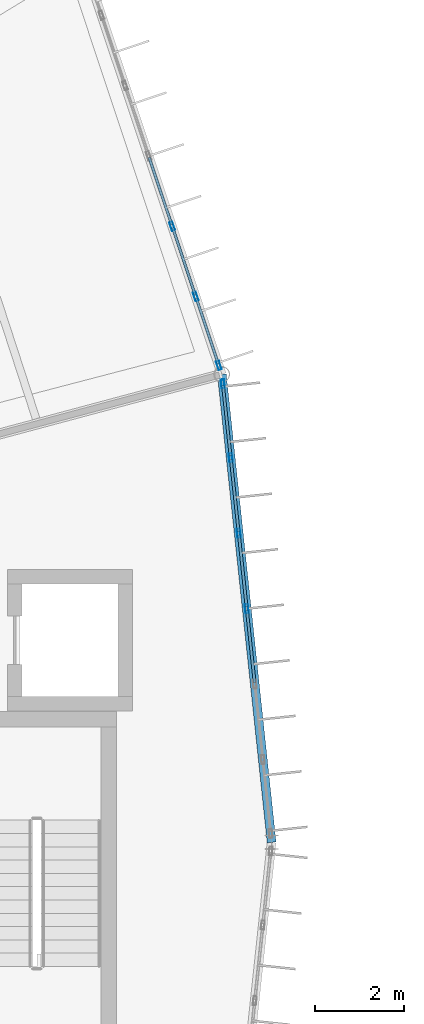
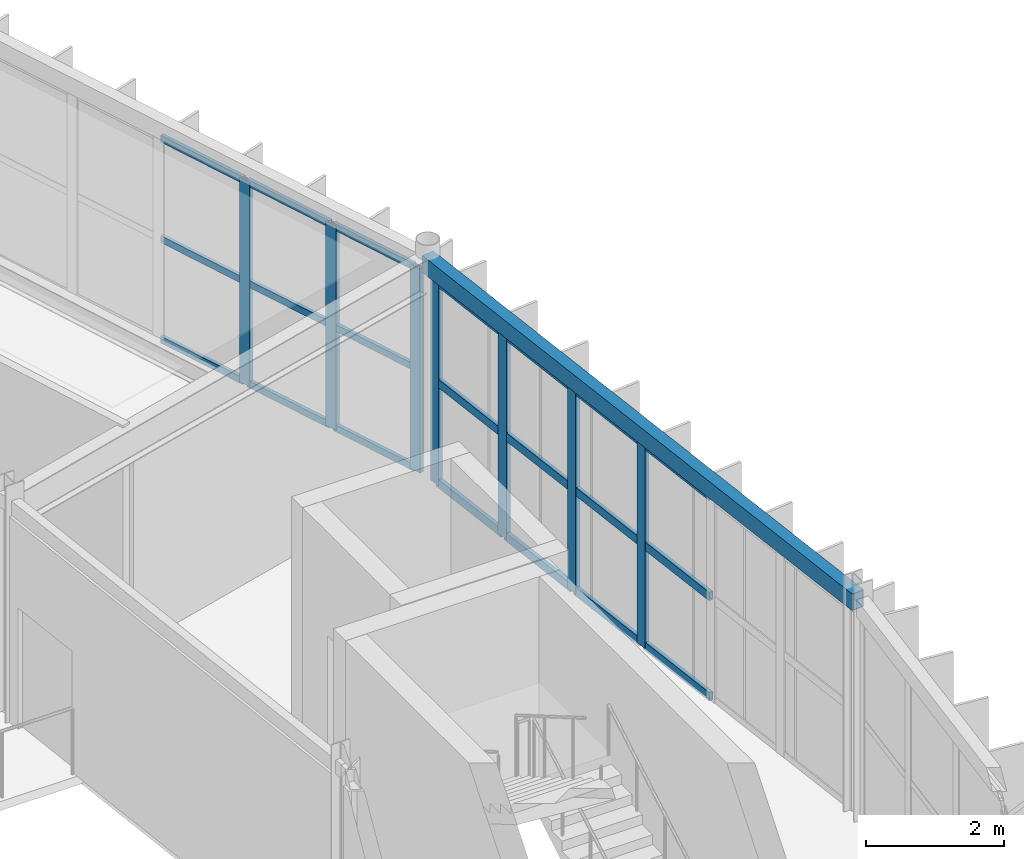
# One storey, part 66 of 148: 28 members, 1 beam, 2 elements without a shape of their own.
"""IFC4 building model written with IfcOpenShell, lengths in metres."""

from ifc_helpers import new_model, si_unit, direction, frame, origin, origin_2d, place, context, subcontext, project, spatial, hollow_rectangle, extrude, material, material_profile, profile_set, type_object, element, aggregate, save


model = new_model("IFC4")

# Units and contexts
model_context = context("Model", 3, precision=1e-05, world=origin(), true_north=direction((0.0, 1.0)))
body_context = subcontext(model_context, "Body", "Model", "MODEL_VIEW")
ifc_project = project(units=[si_unit("LENGTHUNIT", "METRE"), si_unit("AREAUNIT", "SQUARE_METRE"), si_unit("VOLUMEUNIT", "CUBIC_METRE"), si_unit("PLANEANGLEUNIT", "RADIAN"), si_unit("MASSUNIT", "GRAM", prefix="KILO")], contexts=[model_context])

# Site, building, storey
site_placement = place(None, origin())
site = spatial("IfcSite", under=ifc_project, at=site_placement, CompositionType="ELEMENT")
building_placement = place(site_placement, origin())
building = spatial("IfcBuilding", under=site, at=building_placement, Name="Karori Crest Natural Sciences Institute", CompositionType="ELEMENT")
storey_placement = place(building_placement, frame((0.0, 0.0, 4.89990234375)))
storey = spatial("IfcBuildingStorey", under=building, at=storey_placement, Name="L01", CompositionType="ELEMENT", Elevation=4.89990234375)

# Beam
ifc_material_1 = material(Name="Hollow structural steel AS/NZS 1163 Grade C350", Category="steel")
ifc_material_profile_1 = material_profile(ifc_material_1, hollow_rectangle(XDim=0.199951171875, YDim=0.300048828125, WallThickness=0.010009765625, at=origin_2d()), Name="RHS300x200x10")
ifc_profile_set_1 = profile_set([ifc_material_profile_1], Name="Hollow structural steel AS/NZS 1163 Grade C350")
beam_type = type_object("IfcBeamType", Name="BT-15", PredefinedType="SPANDREL", material=ifc_profile_set_1)
beam_placement = place(storey_placement, frame((99.39990234375, 49.89990234375, 3.7900390625), z_axis=(-0.105868278464, 0.994380162521, 0.0), x_axis=(-0.994380162521, -0.105868278464, 0.0)))
element("IfcBeam", 1, at=beam_placement, inside=storey, type_object=beam_type, Name="Beam B-0181", PredefinedType="SPANDREL", context=body_context, shape_type="SweptSolid", body=[
    extrude(hollow_rectangle(XDim=0.199951171875, YDim=0.300048828125, WallThickness=0.010009765625, at=origin_2d()), origin(), (0.0, 0.0, 1.0), 10.619384765625),
])

# Curtain wall, members
ifc_material_2 = material(Name="Anodised architectural aluminium 6063-T6", Category="aluminium")
curtain_wall_type_1 = type_object("IfcCurtainWallType", Name="CWT-01", PredefinedType="NOTDEFINED", material=ifc_material_2)
curtain_wall_1_placement = place(storey_placement, origin())
curtain_wall_1 = element("IfcCurtainWall", 2, at=curtain_wall_1_placement, inside=storey, type_object=curtain_wall_type_1, Name="Curtain wall CW-0031", PredefinedType="NOTDEFINED")
ifc_material_profile_2 = material_profile(ifc_material_2, hollow_rectangle(XDim=0.074951171875, YDim=0.199951171875, WallThickness=0.0048828125, at=origin_2d()), Name="CWM200x75x5")
ifc_profile_set_2 = profile_set([ifc_material_profile_2], Name="Anodised architectural aluminium 6063-T6")
member_type_1 = type_object("IfcMemberType", Name="CWM-02", PredefinedType="MULLION", material=ifc_profile_set_2)
member_1_placement = place(storey_placement, frame((98.298095703125, 60.247802734375, 0.0), z_axis=(0.0, 0.0, 1.0), x_axis=(0.994378742451, 0.105881615789, 0.0)))
member_1 = element("IfcMember", 3, at=member_1_placement, type_object=member_type_1, Name="CW-0031 mullion 1", PredefinedType="MULLION", context=body_context, shape_type="SweptSolid", body=[
    extrude(hollow_rectangle(XDim=0.074951171875, YDim=0.199951171875, WallThickness=0.0048828125, at=origin_2d()), origin(), (0.0, 0.0, 1.0), 3.625),
])
member_2_placement = place(storey_placement, frame((98.4755859375, 58.5810546875, 0.0), z_axis=(0.0, 0.0, 1.0), x_axis=(0.994378742451, 0.105881615789, 0.0)))
member_2 = element("IfcMember", 4, at=member_2_placement, type_object=member_type_1, Name="CW-0031 mullion 2", PredefinedType="MULLION", context=body_context, shape_type="SweptSolid", body=[
    extrude(hollow_rectangle(XDim=0.074951171875, YDim=0.199951171875, WallThickness=0.0048828125, at=origin_2d()), origin(), (0.0, 0.0, 1.0), 3.625),
])
member_3_placement = place(storey_placement, frame((98.656982421875, 56.877197265625, 0.0), z_axis=(0.0, 0.0, 1.0), x_axis=(0.994378742451, 0.105881615789, 0.0)))
member_3 = element("IfcMember", 5, at=member_3_placement, type_object=member_type_1, Name="CW-0031 mullion 3", PredefinedType="MULLION", context=body_context, shape_type="SweptSolid", body=[
    extrude(hollow_rectangle(XDim=0.074951171875, YDim=0.199951171875, WallThickness=0.0048828125, at=origin_2d()), origin(), (0.0, 0.0, 1.0), 3.625),
])
member_4_placement = place(storey_placement, frame((98.83837890625, 55.17333984375, 0.0), z_axis=(0.0, 0.0, 1.0), x_axis=(0.994378742451, 0.105881615789, 0.0)))
member_4 = element("IfcMember", 6, at=member_4_placement, type_object=member_type_1, Name="CW-0031 mullion 4", PredefinedType="MULLION", context=body_context, shape_type="SweptSolid", body=[
    extrude(hollow_rectangle(XDim=0.074951171875, YDim=0.199951171875, WallThickness=0.0048828125, at=origin_2d()), origin(), (0.0, 0.0, 1.0), 3.625),
])

curtain_wall_type_2 = type_object("IfcCurtainWallType", Name="CWT-02", PredefinedType="NOTDEFINED", material=ifc_material_2)
curtain_wall_2_placement = place(storey_placement, origin())
curtain_wall_2 = element("IfcCurtainWall", 7, at=curtain_wall_2_placement, inside=storey, type_object=curtain_wall_type_2, Name="Curtain wall CW-0032", PredefinedType="NOTDEFINED")
member_5_placement = place(storey_placement, frame((97.156494140625, 63.800537109375, 0.0), z_axis=(0.0, 0.0, 1.0), x_axis=(0.948196219586, 0.317685267462, 0.0)))
member_5 = element("IfcMember", 8, at=member_5_placement, type_object=member_type_1, Name="CW-0032 mullion 5", PredefinedType="MULLION", context=body_context, shape_type="SweptSolid", body=[
    extrude(hollow_rectangle(XDim=0.074951171875, YDim=0.199951171875, WallThickness=0.0048828125, at=origin_2d()), origin(), (0.0, 0.0, 1.0), 3.625),
])
member_6_placement = place(storey_placement, frame((97.68798828125, 62.21337890625, 0.0), z_axis=(0.0, 0.0, 1.0), x_axis=(0.948196219586, 0.317685267462, 0.0)))
member_6 = element("IfcMember", 9, at=member_6_placement, type_object=member_type_1, Name="CW-0032 mullion 6", PredefinedType="MULLION", context=body_context, shape_type="SweptSolid", body=[
    extrude(hollow_rectangle(XDim=0.074951171875, YDim=0.199951171875, WallThickness=0.0048828125, at=origin_2d()), origin(), (0.0, 0.0, 1.0), 3.625),
])
member_7_placement = place(storey_placement, frame((98.2080078125, 60.662109375, 0.0), z_axis=(0.0, 0.0, 1.0), x_axis=(0.948196219586, 0.317685267462, 0.0)))
member_7 = element("IfcMember", 10, at=member_7_placement, type_object=member_type_1, Name="CW-0032 mullion 7", PredefinedType="MULLION", context=body_context, shape_type="SweptSolid", body=[
    extrude(hollow_rectangle(XDim=0.074951171875, YDim=0.199951171875, WallThickness=0.0048828125, at=origin_2d()), origin(), (0.0, 0.0, 1.0), 3.625),
])
ifc_material_profile_3 = material_profile(ifc_material_2, hollow_rectangle(XDim=0.06005859375, YDim=0.1201171875, WallThickness=0.00390625, at=origin_2d()), Name="CWT120x60x4")
ifc_profile_set_3 = profile_set([ifc_material_profile_3], Name="Anodised architectural aluminium 6063-T6")
member_type_2 = type_object("IfcMemberType", Name="CWT-TR1", PredefinedType="USERDEFINED", material=ifc_profile_set_3)
member_8_placement = place(storey_placement, frame((96.63671875, 65.351806640625, 0.030029296875), z_axis=(0.317647663217, -0.948208817747, 0.0), x_axis=(0.948208817747, 0.317647663217, 0.0)))
member_8 = element("IfcMember", 11, at=member_8_placement, type_object=member_type_2, Name="CW-0032 transom 4.1", ObjectType="TRANSOM", PredefinedType="USERDEFINED", context=body_context, shape_type="SweptSolid", body=[
    extrude(hollow_rectangle(XDim=0.06005859375, YDim=0.1201171875, WallThickness=0.00390625, at=origin_2d()), origin(), (0.0, 0.0, 1.0), 1.5986328125),
])
member_9_placement = place(storey_placement, frame((96.63671875, 65.351806640625, 1.8125), z_axis=(0.317647663217, -0.948208817747, 0.0), x_axis=(0.948208817747, 0.317647663217, 0.0)))
member_9 = element("IfcMember", 12, at=member_9_placement, type_object=member_type_2, Name="CW-0032 transom 4.2", ObjectType="TRANSOM", PredefinedType="USERDEFINED", context=body_context, shape_type="SweptSolid", body=[
    extrude(hollow_rectangle(XDim=0.06005859375, YDim=0.1201171875, WallThickness=0.00390625, at=origin_2d()), origin(), (0.0, 0.0, 1.0), 1.5986328125),
])
member_10_placement = place(storey_placement, frame((96.63671875, 65.351806640625, 3.59521484375), z_axis=(0.317647663217, -0.948208817747, 0.0), x_axis=(0.948208817747, 0.317647663217, 0.0)))
member_10 = element("IfcMember", 13, at=member_10_placement, type_object=member_type_2, Name="CW-0032 transom 4.3", ObjectType="TRANSOM", PredefinedType="USERDEFINED", context=body_context, shape_type="SweptSolid", body=[
    extrude(hollow_rectangle(XDim=0.06005859375, YDim=0.1201171875, WallThickness=0.00390625, at=origin_2d()), origin(), (0.0, 0.0, 1.0), 1.5986328125),
])
member_11_placement = place(storey_placement, frame((97.168212890625, 63.764892578125, 0.030029296875), z_axis=(0.317784959476, -0.948162812776, 0.0), x_axis=(0.948162812776, 0.317784959476, 0.0)))
member_11 = element("IfcMember", 14, at=member_11_placement, type_object=member_type_2, Name="CW-0032 transom 5.1", ObjectType="TRANSOM", PredefinedType="USERDEFINED", context=body_context, shape_type="SweptSolid", body=[
    extrude(hollow_rectangle(XDim=0.06005859375, YDim=0.1201171875, WallThickness=0.00390625, at=origin_2d()), origin(), (0.0, 0.0, 1.0), 1.5986328125),
])
member_12_placement = place(storey_placement, frame((97.168212890625, 63.764892578125, 1.8125), z_axis=(0.317784959476, -0.948162812776, 0.0), x_axis=(0.948162812776, 0.317784959476, 0.0)))
member_12 = element("IfcMember", 15, at=member_12_placement, type_object=member_type_2, Name="CW-0032 transom 5.2", ObjectType="TRANSOM", PredefinedType="USERDEFINED", context=body_context, shape_type="SweptSolid", body=[
    extrude(hollow_rectangle(XDim=0.06005859375, YDim=0.1201171875, WallThickness=0.00390625, at=origin_2d()), origin(), (0.0, 0.0, 1.0), 1.5986328125),
])
member_13_placement = place(storey_placement, frame((97.168212890625, 63.764892578125, 3.59521484375), z_axis=(0.317784959476, -0.948162812776, 0.0), x_axis=(0.948162812776, 0.317784959476, 0.0)))
member_13 = element("IfcMember", 16, at=member_13_placement, type_object=member_type_2, Name="CW-0032 transom 5.3", ObjectType="TRANSOM", PredefinedType="USERDEFINED", context=body_context, shape_type="SweptSolid", body=[
    extrude(hollow_rectangle(XDim=0.06005859375, YDim=0.1201171875, WallThickness=0.00390625, at=origin_2d()), origin(), (0.0, 0.0, 1.0), 1.5986328125),
])
member_14_placement = place(storey_placement, frame((97.699951171875, 62.177978515625, 0.030029296875), z_axis=(0.317728449452, -0.948181750726, 0.0), x_axis=(0.948181750726, 0.317728449452, 0.0)))
member_14 = element("IfcMember", 17, at=member_14_placement, type_object=member_type_2, Name="CW-0032 transom 6.1", ObjectType="TRANSOM", PredefinedType="USERDEFINED", context=body_context, shape_type="SweptSolid", body=[
    extrude(hollow_rectangle(XDim=0.06005859375, YDim=0.1201171875, WallThickness=0.00390625, at=origin_2d()), origin(), (0.0, 0.0, 1.0), 1.561279296875),
])
member_15_placement = place(storey_placement, frame((97.699951171875, 62.177978515625, 1.8125), z_axis=(0.317728449452, -0.948181750726, 0.0), x_axis=(0.948181750726, 0.317728449452, 0.0)))
member_15 = element("IfcMember", 18, at=member_15_placement, type_object=member_type_2, Name="CW-0032 transom 6.2", ObjectType="TRANSOM", PredefinedType="USERDEFINED", context=body_context, shape_type="SweptSolid", body=[
    extrude(hollow_rectangle(XDim=0.06005859375, YDim=0.1201171875, WallThickness=0.00390625, at=origin_2d()), origin(), (0.0, 0.0, 1.0), 1.561279296875),
])
member_16_placement = place(storey_placement, frame((97.699951171875, 62.177978515625, 3.59521484375), z_axis=(0.317728449452, -0.948181750726, 0.0), x_axis=(0.948181750726, 0.317728449452, 0.0)))
member_16 = element("IfcMember", 19, at=member_16_placement, type_object=member_type_2, Name="CW-0032 transom 6.3", ObjectType="TRANSOM", PredefinedType="USERDEFINED", context=body_context, shape_type="SweptSolid", body=[
    extrude(hollow_rectangle(XDim=0.06005859375, YDim=0.1201171875, WallThickness=0.00390625, at=origin_2d()), origin(), (0.0, 0.0, 1.0), 1.561279296875),
])
aggregate(curtain_wall_2, [member_5, member_6, member_7, member_8, member_9, member_10, member_11, member_12, member_13, member_14, member_15, member_16])

# Member
ifc_material_profile_4 = material_profile(ifc_material_2, hollow_rectangle(XDim=0.06494140625, YDim=0.14990234375, WallThickness=0.00390625, at=origin_2d()), Name="CWT150x65x4")
ifc_profile_set_4 = profile_set([ifc_material_profile_4], Name="Anodised architectural aluminium 6063-T6")
member_type_3 = type_object("IfcMemberType", Name="CWT-TR2", PredefinedType="USERDEFINED", material=ifc_profile_set_4)
member_17_placement = place(storey_placement, frame((98.30224609375, 60.21044921875, 0.03271484375), z_axis=(0.105827760466, -0.9943844755, 0.0), x_axis=(0.9943844755, 0.105827760466, 0.0)))
member_17 = element("IfcMember", 20, at=member_17_placement, type_object=member_type_3, Name="CW-0031 transom 1.1", ObjectType="TRANSOM", PredefinedType="USERDEFINED", context=body_context, shape_type="SweptSolid", body=[
    extrude(hollow_rectangle(XDim=0.06494140625, YDim=0.14990234375, WallThickness=0.00390625, at=origin_2d()), origin(), (0.0, 0.0, 1.0), 1.60107421875),
])

member_18_placement = place(storey_placement, frame((98.30224609375, 60.21044921875, 1.8125), z_axis=(0.105827760466, -0.9943844755, 0.0), x_axis=(0.9943844755, 0.105827760466, 0.0)))
member_18 = element("IfcMember", 21, at=member_18_placement, type_object=member_type_3, Name="CW-0031 transom 1.2", ObjectType="TRANSOM", PredefinedType="USERDEFINED", context=body_context, shape_type="SweptSolid", body=[
    extrude(hollow_rectangle(XDim=0.06494140625, YDim=0.14990234375, WallThickness=0.00390625, at=origin_2d()), origin(), (0.0, 0.0, 1.0), 1.60107421875),
])

member_19_placement = place(storey_placement, frame((98.30224609375, 60.21044921875, 3.592529296875), z_axis=(0.105827760466, -0.9943844755, 0.0), x_axis=(0.9943844755, 0.105827760466, 0.0)))
member_19 = element("IfcMember", 22, at=member_19_placement, type_object=member_type_3, Name="CW-0031 transom 1.3", ObjectType="TRANSOM", PredefinedType="USERDEFINED", context=body_context, shape_type="SweptSolid", body=[
    extrude(hollow_rectangle(XDim=0.06494140625, YDim=0.14990234375, WallThickness=0.00390625, at=origin_2d()), origin(), (0.0, 0.0, 1.0), 1.60107421875),
])

member_20_placement = place(storey_placement, frame((98.4794921875, 58.543701171875, 0.03271484375), z_axis=(0.105949074941, -0.994371557075, 0.0), x_axis=(0.994371557075, 0.105949074941, 0.0)))
member_20 = element("IfcMember", 23, at=member_20_placement, type_object=member_type_3, Name="CW-0031 transom 2.1", ObjectType="TRANSOM", PredefinedType="USERDEFINED", context=body_context, shape_type="SweptSolid", body=[
    extrude(hollow_rectangle(XDim=0.06494140625, YDim=0.14990234375, WallThickness=0.00390625, at=origin_2d()), origin(), (0.0, 0.0, 1.0), 1.638427734375),
])

member_21_placement = place(storey_placement, frame((98.4794921875, 58.543701171875, 1.8125), z_axis=(0.105949074941, -0.994371557075, 0.0), x_axis=(0.994371557075, 0.105949074941, 0.0)))
member_21 = element("IfcMember", 24, at=member_21_placement, type_object=member_type_3, Name="CW-0031 transom 2.2", ObjectType="TRANSOM", PredefinedType="USERDEFINED", context=body_context, shape_type="SweptSolid", body=[
    extrude(hollow_rectangle(XDim=0.06494140625, YDim=0.14990234375, WallThickness=0.00390625, at=origin_2d()), origin(), (0.0, 0.0, 1.0), 1.638427734375),
])

member_22_placement = place(storey_placement, frame((98.4794921875, 58.543701171875, 3.592529296875), z_axis=(0.105949074941, -0.994371557075, 0.0), x_axis=(0.994371557075, 0.105949074941, 0.0)))
member_22 = element("IfcMember", 25, at=member_22_placement, type_object=member_type_3, Name="CW-0031 transom 2.3", ObjectType="TRANSOM", PredefinedType="USERDEFINED", context=body_context, shape_type="SweptSolid", body=[
    extrude(hollow_rectangle(XDim=0.06494140625, YDim=0.14990234375, WallThickness=0.00390625, at=origin_2d()), origin(), (0.0, 0.0, 1.0), 1.638427734375),
])

member_23_placement = place(storey_placement, frame((98.6611328125, 56.83984375, 0.03271484375), z_axis=(0.105786054594, -0.994388913179, 0.0), x_axis=(0.994388913179, 0.105786054594, 0.0)))
member_23 = element("IfcMember", 26, at=member_23_placement, type_object=member_type_3, Name="CW-0031 transom 3.1", ObjectType="TRANSOM", PredefinedType="USERDEFINED", context=body_context, shape_type="SweptSolid", body=[
    extrude(hollow_rectangle(XDim=0.06494140625, YDim=0.14990234375, WallThickness=0.00390625, at=origin_2d()), origin(), (0.0, 0.0, 1.0), 1.638671875),
])

member_24_placement = place(storey_placement, frame((98.6611328125, 56.83984375, 1.8125), z_axis=(0.105786054594, -0.994388913179, 0.0), x_axis=(0.994388913179, 0.105786054594, 0.0)))
member_24 = element("IfcMember", 27, at=member_24_placement, type_object=member_type_3, Name="CW-0031 transom 3.2", ObjectType="TRANSOM", PredefinedType="USERDEFINED", context=body_context, shape_type="SweptSolid", body=[
    extrude(hollow_rectangle(XDim=0.06494140625, YDim=0.14990234375, WallThickness=0.00390625, at=origin_2d()), origin(), (0.0, 0.0, 1.0), 1.638671875),
])

member_25_placement = place(storey_placement, frame((98.6611328125, 56.83984375, 3.592529296875), z_axis=(0.105786054594, -0.994388913179, 0.0), x_axis=(0.994388913179, 0.105786054594, 0.0)))
member_25 = element("IfcMember", 28, at=member_25_placement, type_object=member_type_3, Name="CW-0031 transom 3.3", ObjectType="TRANSOM", PredefinedType="USERDEFINED", context=body_context, shape_type="SweptSolid", body=[
    extrude(hollow_rectangle(XDim=0.06494140625, YDim=0.14990234375, WallThickness=0.00390625, at=origin_2d()), origin(), (0.0, 0.0, 1.0), 1.638671875),
])

member_26_placement = place(storey_placement, frame((98.842529296875, 55.135986328125, 0.03271484375), z_axis=(0.105786054594, -0.994388913179, 0.0), x_axis=(0.994388913179, 0.105786054594, 0.0)))
member_26 = element("IfcMember", 29, at=member_26_placement, type_object=member_type_3, Name="CW-0031 transom 4.1", ObjectType="TRANSOM", PredefinedType="USERDEFINED", context=body_context, shape_type="SweptSolid", body=[
    extrude(hollow_rectangle(XDim=0.06494140625, YDim=0.14990234375, WallThickness=0.00390625, at=origin_2d()), origin(), (0.0, 0.0, 1.0), 1.638671875),
])

member_27_placement = place(storey_placement, frame((98.842529296875, 55.135986328125, 1.8125), z_axis=(0.105786054594, -0.994388913179, 0.0), x_axis=(0.994388913179, 0.105786054594, 0.0)))
member_27 = element("IfcMember", 30, at=member_27_placement, type_object=member_type_3, Name="CW-0031 transom 4.2", ObjectType="TRANSOM", PredefinedType="USERDEFINED", context=body_context, shape_type="SweptSolid", body=[
    extrude(hollow_rectangle(XDim=0.06494140625, YDim=0.14990234375, WallThickness=0.00390625, at=origin_2d()), origin(), (0.0, 0.0, 1.0), 1.638671875),
])

member_28_placement = place(storey_placement, frame((98.842529296875, 55.135986328125, 3.592529296875), z_axis=(0.105786054594, -0.994388913179, 0.0), x_axis=(0.994388913179, 0.105786054594, 0.0)))
member_28 = element("IfcMember", 31, at=member_28_placement, type_object=member_type_3, Name="CW-0031 transom 4.3", ObjectType="TRANSOM", PredefinedType="USERDEFINED", context=body_context, shape_type="SweptSolid", body=[
    extrude(hollow_rectangle(XDim=0.06494140625, YDim=0.14990234375, WallThickness=0.00390625, at=origin_2d()), origin(), (0.0, 0.0, 1.0), 1.638671875),
])

aggregate(curtain_wall_1, [member_1, member_2, member_3, member_4, member_17, member_18, member_19, member_20, member_21, member_22, member_23, member_24, member_25, member_26, member_27, member_28])

save(model, "model.ifc")
